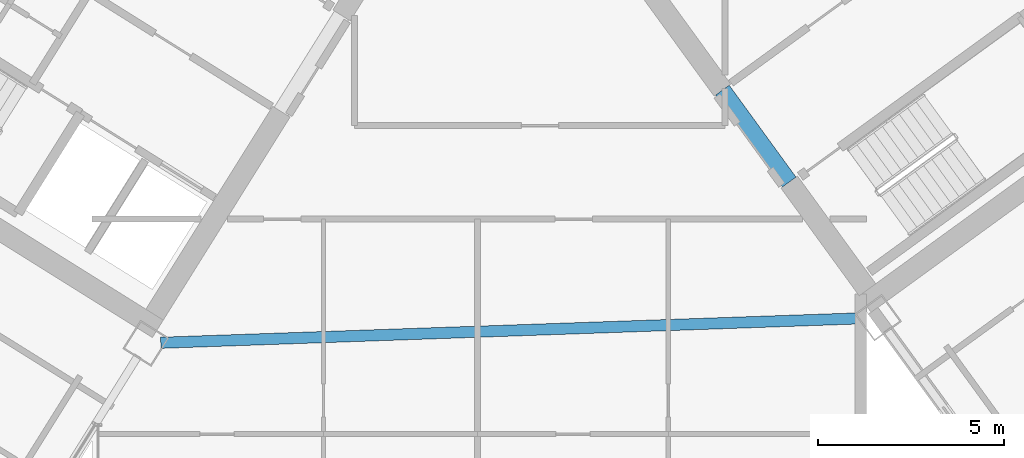
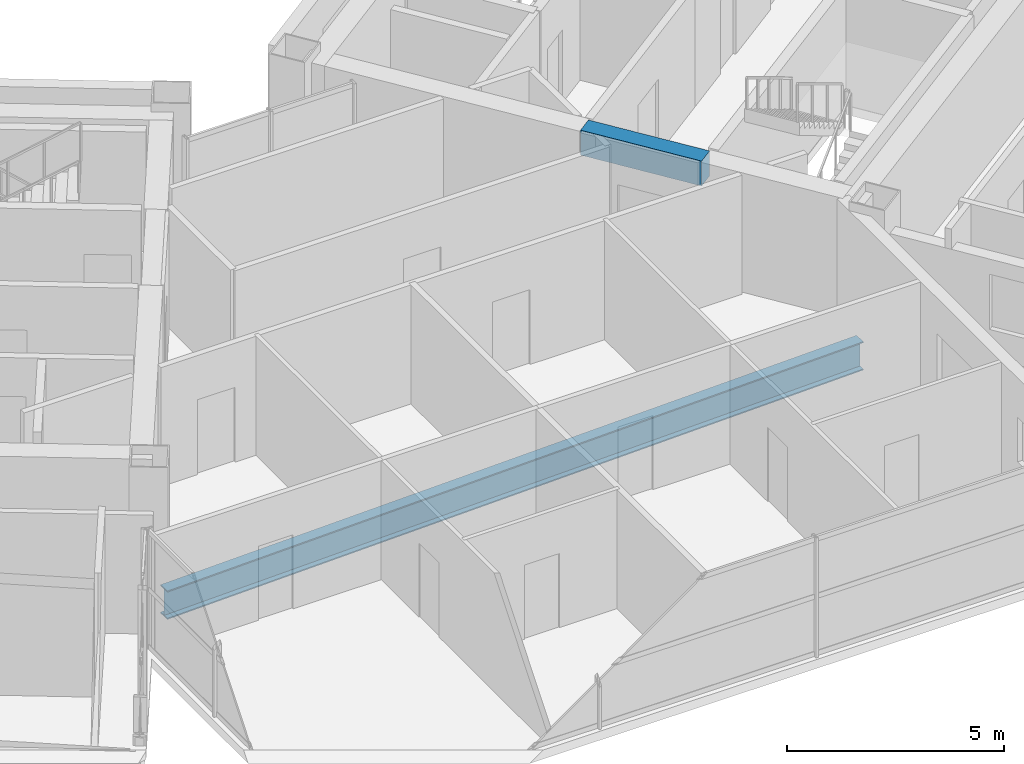
# One storey, part 9 of 25: 2 beams.
"""IFC4 building model written with IfcOpenShell, lengths in metres."""

from ifc_helpers import new_model, si_unit, direction, frame, origin, origin_2d, place, context, subcontext, project, spatial, rectangle, i_section, extrude, source, transform, mapped, material, material_profile, profile_set, type_object, element, save


model = new_model("IFC4")

# Units and contexts
model_context = context("Model", 3, precision=1e-05, world=origin(), true_north=direction((0.0, 1.0)))
body_context = subcontext(model_context, "Body", "Model", "MODEL_VIEW")
ifc_project = project(units=[si_unit("LENGTHUNIT", "METRE"), si_unit("AREAUNIT", "SQUARE_METRE"), si_unit("VOLUMEUNIT", "CUBIC_METRE"), si_unit("PLANEANGLEUNIT", "RADIAN"), si_unit("MASSUNIT", "GRAM", prefix="KILO")], contexts=[model_context])

# Site, building, storey
site_placement = place(None, origin())
site = spatial("IfcSite", under=ifc_project, at=site_placement, CompositionType="ELEMENT")
building_placement = place(site_placement, origin())
building = spatial("IfcBuilding", under=site, at=building_placement, Name="Tlacorven Tower", CompositionType="ELEMENT")
storey_placement = place(building_placement, frame((0.0, 0.0, 155.10009765625)))
storey = spatial("IfcBuildingStorey", under=building, at=storey_placement, Name="L39", CompositionType="ELEMENT", Elevation=155.10009765625)

# Beams
ifc_material_1 = material(Name="Concrete C60/75", Category="concrete")
ifc_material_profile_1 = material_profile(ifc_material_1, rectangle(XDim=0.449951171875, YDim=0.699951171875, at=origin_2d()), Name="RC 450X700")
ifc_profile_set_1 = profile_set([ifc_material_profile_1], Name="Concrete C60/75")
beam_type_1 = type_object("IfcBeamType", Name="BM-LNT-700", PredefinedType="LINTEL", material=ifc_profile_set_1)
shared_shape_1 = source(origin(), body_context, "Body", "SweptSolid", [
    extrude(rectangle(XDim=0.449951171875, YDim=0.699951171875, at=origin_2d()), origin(), (0.0, 0.0, 1.0), 3.050048828125),
])
beam_1_placement = place(storey_placement, frame((50.318359375, 16.416015625, 3.0), z_axis=(-0.587776590479, 0.80902328748, 0.0), x_axis=(-0.80902328748, -0.587776590479, 0.0)))
element("IfcBeam", 1, at=beam_1_placement, inside=storey, type_object=beam_type_1, Name="L39 E core coupling lintel beam E1", PredefinedType="LINTEL", context=body_context, shape_type="MappedRepresentation", body=[
    mapped(shared_shape_1, transform((0.0, 0.0, 0.0), scale=1.0)),
])
ifc_material_2 = material(Name="Steel S355J2", Category="steel")
ifc_material_profile_2 = material_profile(ifc_material_2, i_section(OverallWidth=0.300048828125, OverallDepth=0.800048828125, WebThickness=0.017578125, FlangeThickness=0.032958984375, at=origin_2d()), Name="HEB 800")
ifc_profile_set_2 = profile_set([ifc_material_profile_2], Name="Steel S355J2")
beam_type_2 = type_object("IfcBeamType", Name="BM-POD-800", PredefinedType="BEAM", material=ifc_profile_set_2)
shared_shape_2 = source(origin(), body_context, "Body", "SweptSolid", [
    extrude(i_section(OverallWidth=0.300048828125, OverallDepth=0.800048828125, WebThickness=0.017578125, FlangeThickness=0.032958984375, at=origin_2d()), origin(), (0.0, 0.0, 1.0), 18.871337890625),
])
beam_2_placement = place(storey_placement, frame((33.44580078125, 12.100830078125, -0.650146484375), z_axis=(0.999390659804, 0.034904284792, 0.0), x_axis=(-0.034904284792, 0.999390659804, 0.0)))
element("IfcBeam", 2, at=beam_2_placement, inside=storey, type_object=beam_type_2, Name="L39 Knuckle Link Girder 2", PredefinedType="BEAM", context=body_context, shape_type="MappedRepresentation", body=[
    mapped(shared_shape_2, transform((0.0, 0.0, 0.0), scale=1.0)),
])

save(model, "model.ifc")
